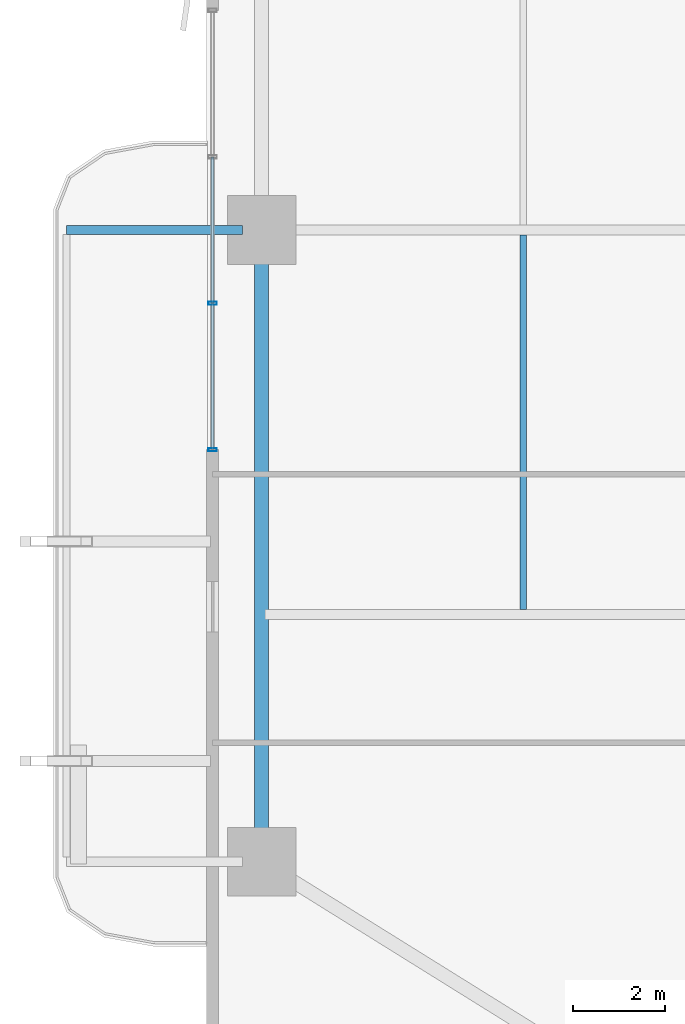
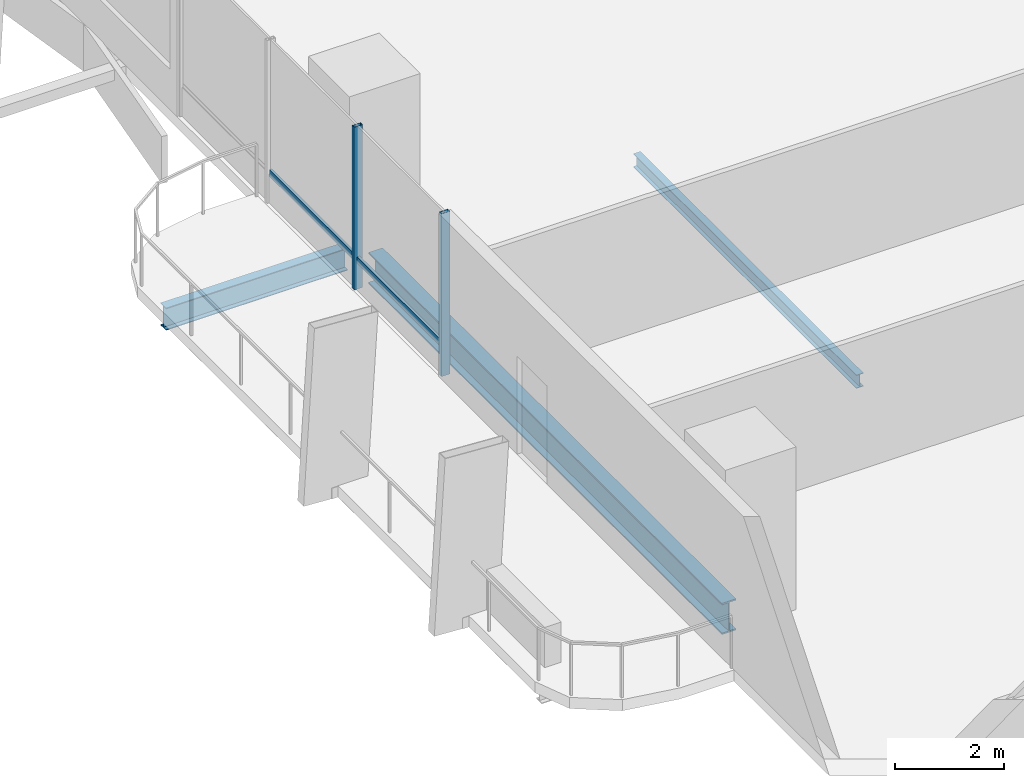
# One storey, part 4 of 24: 4 members, 3 beams, 1 element without a shape of its own.
"""IFC4 building model written with IfcOpenShell, lengths in metres."""

from ifc_helpers import new_model, si_unit, direction, frame, origin, origin_2d, place, context, subcontext, project, spatial, hollow_rectangle, i_section, extrude, material, layer, layer_set, material_profile, profile_set, type_object, element, aggregate, save


model = new_model("IFC4")

# Units and contexts
model_context = context("Model", 3, precision=1e-05, world=origin(), true_north=direction((0.0, 1.0)))
body_context = subcontext(model_context, "Body", "Model", "MODEL_VIEW")
ifc_project = project(units=[si_unit("LENGTHUNIT", "METRE"), si_unit("AREAUNIT", "SQUARE_METRE"), si_unit("VOLUMEUNIT", "CUBIC_METRE"), si_unit("PLANEANGLEUNIT", "RADIAN"), si_unit("MASSUNIT", "GRAM", prefix="KILO")], contexts=[model_context])

# Site, building, storey
site_placement = place(None, origin())
site = spatial("IfcSite", under=ifc_project, at=site_placement, CompositionType="ELEMENT")
building_placement = place(site_placement, origin())
building = spatial("IfcBuilding", under=site, at=building_placement, Name="Belovzor Exchange Tower", CompositionType="ELEMENT")
storey_placement = place(building_placement, frame((0.0, 0.0, 33.89990234375)))
storey = spatial("IfcBuildingStorey", under=building, at=storey_placement, Name="L07", CompositionType="ELEMENT", Elevation=33.89990234375)

# Beams
ifc_material_1 = material(Name="Steel S355", Category="steel")
ifc_material_profile_1 = material_profile(ifc_material_1, i_section(OverallWidth=0.199951171875, OverallDepth=0.5, WebThickness=0.01025390625, FlangeThickness=0.01611328125, at=origin_2d()))
ifc_profile_set_1 = profile_set([ifc_material_profile_1], Name="Steel S355")
beam_type_1 = type_object("IfcBeamType", Name="Planted Balcony Cantilever Beam IPE 500", PredefinedType="BEAM", material=ifc_profile_set_1)
beam_1_placement = place(storey_placement, frame((1.68798828125, 28.800048828125, -0.5), z_axis=(-1.0, 0.0, 0.0), x_axis=(0.0, -1.0, 0.0)))
element("IfcBeam", 1, at=beam_1_placement, inside=storey, type_object=beam_type_1, Name="BC-500 Planted Balcony Cantilever Beam IPE 500", PredefinedType="BEAM", context=body_context, shape_type="SweptSolid", body=[
    extrude(i_section(OverallWidth=0.199951171875, OverallDepth=0.5, WebThickness=0.01025390625, FlangeThickness=0.01611328125, at=origin_2d()), origin(), (0.0, 0.0, 1.0), 3.85009765625),
])
ifc_material_2 = material(Name="Steel S355", Category="steel")
ifc_material_profile_2 = material_profile(ifc_material_2, i_section(OverallWidth=0.14990234375, OverallDepth=0.300048828125, WebThickness=0.007080078125, FlangeThickness=0.0107421875, at=origin_2d()))
ifc_profile_set_2 = profile_set([ifc_material_profile_2], Name="Steel S355")
beam_type_2 = type_object("IfcBeamType", Name="Secondary Trim Floor Joist IPE 300", PredefinedType="BEAM", material=ifc_profile_set_2)
beam_2_placement = place(storey_placement, frame((7.81494140625, 20.5048828125, -0.39990234375), z_axis=(0.0, 1.0, 0.0), x_axis=(-1.0, 0.0, 0.0)))
element("IfcBeam", 2, at=beam_2_placement, inside=storey, type_object=beam_type_2, Name="FJ-300 Secondary Trim Floor Joist IPE 300", PredefinedType="BEAM", context=body_context, shape_type="SweptSolid", body=[
    extrude(i_section(OverallWidth=0.14990234375, OverallDepth=0.300048828125, WebThickness=0.007080078125, FlangeThickness=0.0107421875, at=origin_2d()), origin(), (0.0, 0.0, 1.0), 8.190185546875),
])

# Curtain wall, members
ifc_material_3 = material(Name="Anodised Aluminium Framing", Category="aluminium")
ifc_layer = layer(ifc_material_3, 0.179931640625)
ifc_layer_set = layer_set([ifc_layer], Name="Anodised Aluminium Framing")
curtain_wall_type = type_object("IfcCurtainWallType", Name="Recessed Loggia Low-Iron Triple-Glazed Curtain Wall", PredefinedType="NOTDEFINED", material=ifc_layer_set)
curtain_wall_placement = place(storey_placement, origin())
curtain_wall = element("IfcCurtainWall", 3, at=curtain_wall_placement, inside=storey, type_object=curtain_wall_type, Name="CW3 Recessed Loggia Low-Iron Triple-Glazed Curtain Wall L07", PredefinedType="NOTDEFINED")
ifc_material_4 = material(Name="Steel S355", Category="steel")
ifc_material_profile_3 = material_profile(ifc_material_4, hollow_rectangle(XDim=0.074951171875, YDim=0.179931640625, WallThickness=0.0048828125, at=origin_2d()))
ifc_profile_set_3 = profile_set([ifc_material_profile_3], Name="Steel S355")
member_type_1 = type_object("IfcMemberType", Name="Thermally Broken Curtain Wall Mullion 180x75", PredefinedType="MULLION", material=ifc_profile_set_3)
member_1_placement = place(storey_placement, frame((1.030029296875, 24.0, 0.0), z_axis=(0.0, 0.0, 1.0), x_axis=(0.0, 1.0, 0.0)))
member_1 = element("IfcMember", 4, at=member_1_placement, type_object=member_type_1, Name="CW-M180 Curtain Wall Mullion 1", PredefinedType="MULLION", context=body_context, shape_type="SweptSolid", body=[
    extrude(hollow_rectangle(XDim=0.074951171875, YDim=0.179931640625, WallThickness=0.0048828125, at=origin_2d()), origin(), (0.0, 0.0, 1.0), 3.650146484375),
])
member_2_placement = place(storey_placement, frame((1.030029296875, 27.199951171875, 0.0), z_axis=(0.0, 0.0, 1.0), x_axis=(0.0, 1.0, 0.0)))
member_2 = element("IfcMember", 5, at=member_2_placement, type_object=member_type_1, Name="CW-M180 Curtain Wall Mullion 2", PredefinedType="MULLION", context=body_context, shape_type="SweptSolid", body=[
    extrude(hollow_rectangle(XDim=0.074951171875, YDim=0.179931640625, WallThickness=0.0048828125, at=origin_2d()), origin(), (0.0, 0.0, 1.0), 3.650146484375),
])
ifc_material_5 = material(Name="Steel S355", Category="steel")
ifc_material_profile_4 = material_profile(ifc_material_5, hollow_rectangle(XDim=0.06005859375, YDim=0.14990234375, WallThickness=0.00390625, at=origin_2d()))
ifc_profile_set_4 = profile_set([ifc_material_profile_4], Name="Steel S355")
member_type_2 = type_object("IfcMemberType", Name="Thermally Broken Curtain Wall Transom 150x60", PredefinedType="USERDEFINED", material=ifc_profile_set_4)
member_3_placement = place(storey_placement, frame((1.030029296875, 24.008056640625, 0.650146484375), z_axis=(0.0, 1.0, 0.0), x_axis=(-1.0, 0.0, 0.0)))
member_3 = element("IfcMember", 6, at=member_3_placement, type_object=member_type_2, Name="CW-T150 Curtain Wall Transom 1", ObjectType="TRANSOM", PredefinedType="USERDEFINED", context=body_context, shape_type="SweptSolid", body=[
    extrude(hollow_rectangle(XDim=0.06005859375, YDim=0.14990234375, WallThickness=0.00390625, at=origin_2d()), origin(), (0.0, 0.0, 1.0), 3.183837890625),
])
member_4_placement = place(storey_placement, frame((1.030029296875, 27.2080078125, 0.650146484375), z_axis=(0.0, 1.0, 0.0), x_axis=(-1.0, 0.0, 0.0)))
member_4 = element("IfcMember", 7, at=member_4_placement, type_object=member_type_2, Name="CW-T150 Curtain Wall Transom 2", ObjectType="TRANSOM", PredefinedType="USERDEFINED", context=body_context, shape_type="SweptSolid", body=[
    extrude(hollow_rectangle(XDim=0.06005859375, YDim=0.14990234375, WallThickness=0.00390625, at=origin_2d()), origin(), (0.0, 0.0, 1.0), 3.18408203125),
])
aggregate(curtain_wall, [member_1, member_2, member_3, member_4])

# Beam
ifc_material_6 = material(Name="Steel S355", Category="steel")
ifc_material_profile_5 = material_profile(ifc_material_6, i_section(OverallWidth=0.300048828125, OverallDepth=0.699951171875, WebThickness=0.01708984375, FlangeThickness=0.031982421875, at=origin_2d()))
ifc_profile_set_5 = profile_set([ifc_material_profile_5], Name="Steel S355")
beam_type_3 = type_object("IfcBeamType", Name="Zone 1 Primary Perimeter Girder HEB 700", PredefinedType="BEAM", material=ifc_profile_set_5)
beam_3_placement = place(storey_placement, frame((2.10009765625, 28.386962890625, -0.599853515625), z_axis=(0.0, -1.0, 0.0), x_axis=(1.0, 0.0, 0.0)))
element("IfcBeam", 8, at=beam_3_placement, inside=storey, type_object=beam_type_3, Name="FG-Z1 Zone 1 Primary Perimeter Girder HEB 700", PredefinedType="BEAM", context=body_context, shape_type="SweptSolid", body=[
    extrude(i_section(OverallWidth=0.300048828125, OverallDepth=0.699951171875, WebThickness=0.01708984375, FlangeThickness=0.031982421875, at=origin_2d()), origin(), (0.0, 0.0, 1.0), 12.974853515625),
])

save(model, "model.ifc")
